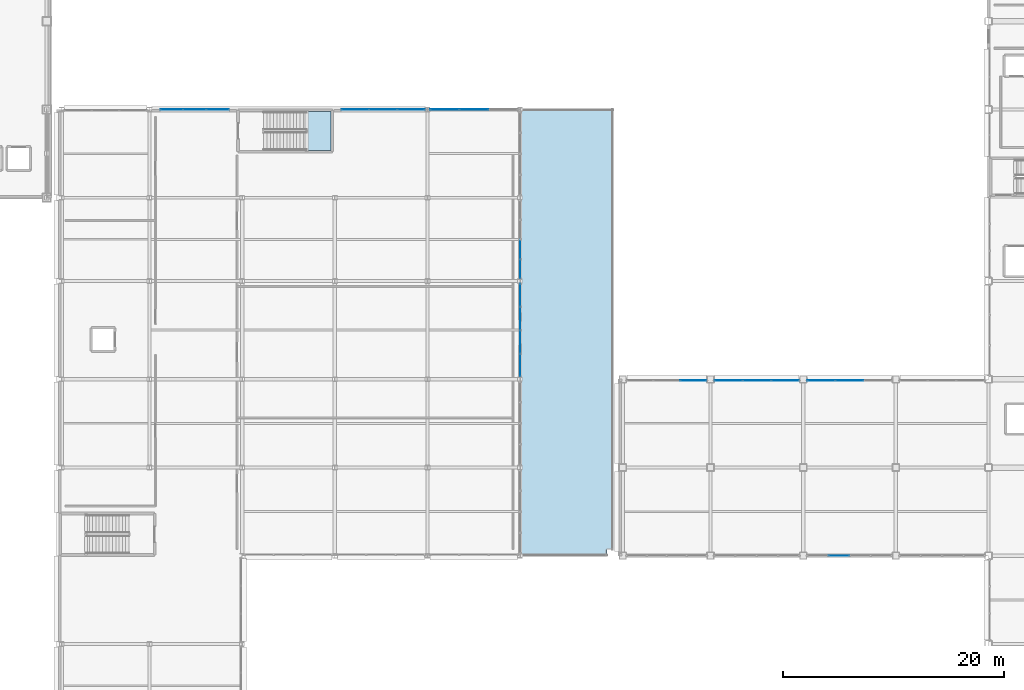
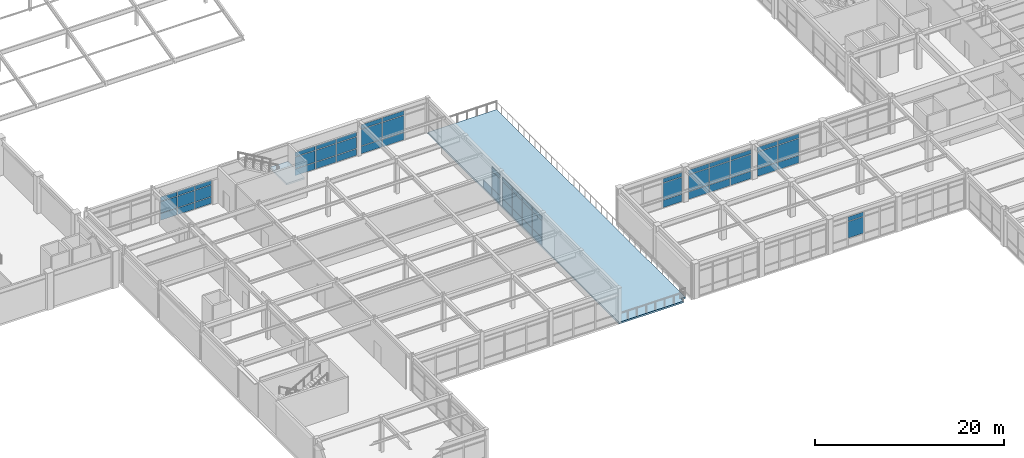
# One storey, part 67 of 93: 60 plates, 2 slabs, 10 elements without a shape of their own.
"""IFC4 building model written with IfcOpenShell, lengths in metres."""

from ifc_helpers import new_model, si_unit, direction, frame, origin, origin_2d, place, context, subcontext, project, spatial, polyline, rectangle, outline, extrude, material, layer, layer_set, type_object, element, aggregate, save


model = new_model("IFC4")

# Units and contexts
model_context = context("Model", 3, precision=1e-05, world=origin(), true_north=direction((0.0, 1.0)))
body_context = subcontext(model_context, "Body", "Model", "MODEL_VIEW")
ifc_project = project(units=[si_unit("LENGTHUNIT", "METRE"), si_unit("AREAUNIT", "SQUARE_METRE"), si_unit("VOLUMEUNIT", "CUBIC_METRE"), si_unit("PLANEANGLEUNIT", "RADIAN"), si_unit("MASSUNIT", "GRAM", prefix="KILO")], contexts=[model_context])

# Site, building, storey
site_placement = place(None, origin())
site = spatial("IfcSite", under=ifc_project, at=site_placement, CompositionType="ELEMENT")
building_placement = place(site_placement, origin())
building = spatial("IfcBuilding", under=site, at=building_placement, Name="Kazehara Bluff Congress Hotel", CompositionType="ELEMENT")
storey_placement = place(building_placement, frame((0.0, 0.0, 15.0)))
storey = spatial("IfcBuildingStorey", under=building, at=storey_placement, Name="L03", CompositionType="ELEMENT", Elevation=15.0)

# Curtain wall, plates
ifc_material_1 = material(Name="Anodised aluminium", Category="aluminium")
ifc_layer_1 = layer(ifc_material_1, 0.159912109375)
ifc_layer_set_1 = layer_set([ifc_layer_1], Name="Anodised aluminium")
curtain_wall_type_1 = type_object("IfcCurtainWallType", Name="TP-CW-61", PredefinedType="NOTDEFINED", material=ifc_layer_set_1)
curtain_wall_1_placement = place(storey_placement, origin())
curtain_wall_1 = element("IfcCurtainWall", 1, at=curtain_wall_1_placement, inside=storey, type_object=curtain_wall_type_1, Name="L03 curtain wall CW-61 CW-V4-L03-X10125-3220", PredefinedType="NOTDEFINED")
ifc_material_2 = material(Name="Insulated low-E double glazing", Category="glass")
ifc_layer_2 = layer(ifc_material_2, 0.028076171875)
ifc_layer_set_2 = layer_set([ifc_layer_2], Name="Insulated low-E double glazing")
plate_type = type_object("IfcPlateType", Name="TP-CWP-01", PredefinedType="CURTAIN_PANEL", material=ifc_layer_set_2)
plate_1_placement = place(storey_placement, frame((101.25, 33.27880859375, 0.06494140625), z_axis=(0.0, 0.0, 1.0), x_axis=(0.0, 1.0, 0.0)))
plate_1 = element("IfcPlate", 2, at=plate_1_placement, type_object=plate_type, Name="CW-61 panel 1.1", PredefinedType="CURTAIN_PANEL", context=body_context, shape_type="SweptSolid", body=[
    extrude(rectangle(XDim=2.027587890625, YDim=0.028076171875, at=origin_2d()), origin(), (0.0, 0.0, 1.0), 0.952392578125),
])
plate_2_placement = place(storey_placement, frame((101.25, 33.27880859375, 1.08251953125), z_axis=(0.0, 0.0, 1.0), x_axis=(0.0, 1.0, 0.0)))
plate_2 = element("IfcPlate", 3, at=plate_2_placement, type_object=plate_type, Name="CW-61 panel 1.2", PredefinedType="CURTAIN_PANEL", context=body_context, shape_type="SweptSolid", body=[
    extrude(rectangle(XDim=2.027587890625, YDim=0.028076171875, at=origin_2d()), origin(), (0.0, 0.0, 1.0), 2.1201171875),
])
plate_3_placement = place(storey_placement, frame((101.25, 33.27880859375, 3.267578125), z_axis=(0.0, 0.0, 1.0), x_axis=(0.0, 1.0, 0.0)))
plate_3 = element("IfcPlate", 4, at=plate_3_placement, type_object=plate_type, Name="CW-61 panel 1.3", PredefinedType="CURTAIN_PANEL", context=body_context, shape_type="SweptSolid", body=[
    extrude(rectangle(XDim=2.027587890625, YDim=0.028076171875, at=origin_2d()), origin(), (0.0, 0.0, 1.0), 0.552490234375),
])
plate_4_placement = place(storey_placement, frame((101.25, 35.387451171875, 0.06494140625), z_axis=(0.0, 0.0, 1.0), x_axis=(0.0, 1.0, 0.0)))
plate_4 = element("IfcPlate", 5, at=plate_4_placement, type_object=plate_type, Name="CW-61 panel 2.1", PredefinedType="CURTAIN_PANEL", context=body_context, shape_type="SweptSolid", body=[
    extrude(rectangle(XDim=2.06005859375, YDim=0.028076171875, at=origin_2d()), origin(), (0.0, 0.0, 1.0), 0.952392578125),
])
plate_5_placement = place(storey_placement, frame((101.25, 35.387451171875, 1.08251953125), z_axis=(0.0, 0.0, 1.0), x_axis=(0.0, 1.0, 0.0)))
plate_5 = element("IfcPlate", 6, at=plate_5_placement, type_object=plate_type, Name="CW-61 panel 2.2", PredefinedType="CURTAIN_PANEL", context=body_context, shape_type="SweptSolid", body=[
    extrude(rectangle(XDim=2.06005859375, YDim=0.028076171875, at=origin_2d()), origin(), (0.0, 0.0, 1.0), 2.1201171875),
])
plate_6_placement = place(storey_placement, frame((101.25, 35.387451171875, 3.267578125), z_axis=(0.0, 0.0, 1.0), x_axis=(0.0, 1.0, 0.0)))
plate_6 = element("IfcPlate", 7, at=plate_6_placement, type_object=plate_type, Name="CW-61 panel 2.3", PredefinedType="CURTAIN_PANEL", context=body_context, shape_type="SweptSolid", body=[
    extrude(rectangle(XDim=2.06005859375, YDim=0.028076171875, at=origin_2d()), origin(), (0.0, 0.0, 1.0), 0.552490234375),
])
plate_7_placement = place(storey_placement, frame((101.25, 37.512451171875, 0.06494140625), z_axis=(0.0, 0.0, 1.0), x_axis=(0.0, 1.0, 0.0)))
plate_7 = element("IfcPlate", 8, at=plate_7_placement, type_object=plate_type, Name="CW-61 panel 3.1", PredefinedType="CURTAIN_PANEL", context=body_context, shape_type="SweptSolid", body=[
    extrude(rectangle(XDim=2.06005859375, YDim=0.028076171875, at=origin_2d()), origin(), (0.0, 0.0, 1.0), 0.952392578125),
])
plate_8_placement = place(storey_placement, frame((101.25, 37.512451171875, 1.08251953125), z_axis=(0.0, 0.0, 1.0), x_axis=(0.0, 1.0, 0.0)))
plate_8 = element("IfcPlate", 9, at=plate_8_placement, type_object=plate_type, Name="CW-61 panel 3.2", PredefinedType="CURTAIN_PANEL", context=body_context, shape_type="SweptSolid", body=[
    extrude(rectangle(XDim=2.06005859375, YDim=0.028076171875, at=origin_2d()), origin(), (0.0, 0.0, 1.0), 2.1201171875),
])
plate_9_placement = place(storey_placement, frame((101.25, 37.512451171875, 3.267578125), z_axis=(0.0, 0.0, 1.0), x_axis=(0.0, 1.0, 0.0)))
plate_9 = element("IfcPlate", 10, at=plate_9_placement, type_object=plate_type, Name="CW-61 panel 3.3", PredefinedType="CURTAIN_PANEL", context=body_context, shape_type="SweptSolid", body=[
    extrude(rectangle(XDim=2.06005859375, YDim=0.028076171875, at=origin_2d()), origin(), (0.0, 0.0, 1.0), 0.552490234375),
])
plate_10_placement = place(storey_placement, frame((101.25, 39.621337890625, 0.06494140625), z_axis=(0.0, 0.0, 1.0), x_axis=(0.0, 1.0, 0.0)))
plate_10 = element("IfcPlate", 11, at=plate_10_placement, type_object=plate_type, Name="CW-61 panel 4.1", PredefinedType="CURTAIN_PANEL", context=body_context, shape_type="SweptSolid", body=[
    extrude(rectangle(XDim=2.027587890625, YDim=0.028076171875, at=origin_2d()), origin(), (0.0, 0.0, 1.0), 0.952392578125),
])
plate_11_placement = place(storey_placement, frame((101.25, 39.621337890625, 1.08251953125), z_axis=(0.0, 0.0, 1.0), x_axis=(0.0, 1.0, 0.0)))
plate_11 = element("IfcPlate", 12, at=plate_11_placement, type_object=plate_type, Name="CW-61 panel 4.2", PredefinedType="CURTAIN_PANEL", context=body_context, shape_type="SweptSolid", body=[
    extrude(rectangle(XDim=2.027587890625, YDim=0.028076171875, at=origin_2d()), origin(), (0.0, 0.0, 1.0), 2.1201171875),
])
plate_12_placement = place(storey_placement, frame((101.25, 39.621337890625, 3.267578125), z_axis=(0.0, 0.0, 1.0), x_axis=(0.0, 1.0, 0.0)))
plate_12 = element("IfcPlate", 13, at=plate_12_placement, type_object=plate_type, Name="CW-61 panel 4.3", PredefinedType="CURTAIN_PANEL", context=body_context, shape_type="SweptSolid", body=[
    extrude(rectangle(XDim=2.027587890625, YDim=0.028076171875, at=origin_2d()), origin(), (0.0, 0.0, 1.0), 0.552490234375),
])
aggregate(curtain_wall_1, [plate_1, plate_2, plate_3, plate_4, plate_5, plate_6, plate_7, plate_8, plate_9, plate_10, plate_11, plate_12])

ifc_material_3 = material(Name="Anodised aluminium", Category="aluminium")
ifc_layer_3 = layer(ifc_material_3, 0.159912109375)
ifc_layer_set_3 = layer_set([ifc_layer_3], Name="Anodised aluminium")
curtain_wall_type_2 = type_object("IfcCurtainWallType", Name="TP-CW-62", PredefinedType="NOTDEFINED", material=ifc_layer_set_3)
curtain_wall_2_placement = place(storey_placement, origin())
curtain_wall_2 = element("IfcCurtainWall", 14, at=curtain_wall_2_placement, inside=storey, type_object=curtain_wall_type_2, Name="L03 curtain wall CW-62 CW-V4-L03-X10125-4110", PredefinedType="NOTDEFINED")
plate_13_placement = place(storey_placement, frame((101.25, 42.010009765625, 0.06494140625), z_axis=(0.0, 0.0, 1.0), x_axis=(0.0, 1.0, 0.0)))
plate_13 = element("IfcPlate", 15, at=plate_13_placement, type_object=plate_type, Name="CW-62 panel 1.1", PredefinedType="CURTAIN_PANEL", context=body_context, shape_type="SweptSolid", body=[
    extrude(rectangle(XDim=1.68994140625, YDim=0.028076171875, at=origin_2d()), origin(), (0.0, 0.0, 1.0), 0.952392578125),
])
plate_14_placement = place(storey_placement, frame((101.25, 42.010009765625, 1.08251953125), z_axis=(0.0, 0.0, 1.0), x_axis=(0.0, 1.0, 0.0)))
plate_14 = element("IfcPlate", 16, at=plate_14_placement, type_object=plate_type, Name="CW-62 panel 1.2", PredefinedType="CURTAIN_PANEL", context=body_context, shape_type="SweptSolid", body=[
    extrude(rectangle(XDim=1.68994140625, YDim=0.028076171875, at=origin_2d()), origin(), (0.0, 0.0, 1.0), 2.1201171875),
])
plate_15_placement = place(storey_placement, frame((101.25, 42.010009765625, 3.267578125), z_axis=(0.0, 0.0, 1.0), x_axis=(0.0, 1.0, 0.0)))
plate_15 = element("IfcPlate", 17, at=plate_15_placement, type_object=plate_type, Name="CW-62 panel 1.3", PredefinedType="CURTAIN_PANEL", context=body_context, shape_type="SweptSolid", body=[
    extrude(rectangle(XDim=1.68994140625, YDim=0.028076171875, at=origin_2d()), origin(), (0.0, 0.0, 1.0), 0.552490234375),
])
plate_16_placement = place(storey_placement, frame((101.25, 43.78125, 0.06494140625), z_axis=(0.0, 0.0, 1.0), x_axis=(0.0, 1.0, 0.0)))
plate_16 = element("IfcPlate", 18, at=plate_16_placement, type_object=plate_type, Name="CW-62 panel 2.1", PredefinedType="CURTAIN_PANEL", context=body_context, shape_type="SweptSolid", body=[
    extrude(rectangle(XDim=1.722412109375, YDim=0.028076171875, at=origin_2d()), origin(), (0.0, 0.0, 1.0), 0.952392578125),
])
aggregate(curtain_wall_2, [plate_13, plate_14, plate_15, plate_16])

ifc_material_4 = material(Name="Anodised aluminium", Category="aluminium")
ifc_layer_4 = layer(ifc_material_4, 0.159912109375)
ifc_layer_set_4 = layer_set([ifc_layer_4], Name="Anodised aluminium")
curtain_wall_type_3 = type_object("IfcCurtainWallType", Name="TP-CW-72", PredefinedType="NOTDEFINED", material=ifc_layer_set_4)
curtain_wall_3_placement = place(storey_placement, origin())
curtain_wall_3 = element("IfcCurtainWall", 19, at=curtain_wall_3_placement, inside=storey, type_object=curtain_wall_type_3, Name="L03 curtain wall CW-72 CW-V4-L03-Y5645-6860", PredefinedType="NOTDEFINED")
plate_17_placement = place(storey_placement, frame((69.6650390625, 56.449951171875, 0.06005859375), z_axis=(0.0, 0.0, 1.0), x_axis=(1.0, 0.0, 0.0)))
plate_17 = element("IfcPlate", 20, at=plate_17_placement, type_object=plate_type, Name="CW-72 panel 1.1", PredefinedType="CURTAIN_PANEL", context=body_context, shape_type="SweptSolid", body=[
    extrude(rectangle(XDim=2.010009765625, YDim=0.028076171875, at=origin_2d()), origin(), (0.0, 0.0, 1.0), 0.85009765625),
])
plate_18_placement = place(storey_placement, frame((69.6650390625, 56.449951171875, 0.9697265625), z_axis=(0.0, 0.0, 1.0), x_axis=(1.0, 0.0, 0.0)))
plate_18 = element("IfcPlate", 21, at=plate_18_placement, type_object=plate_type, Name="CW-72 panel 1.2", PredefinedType="CURTAIN_PANEL", context=body_context, shape_type="SweptSolid", body=[
    extrude(rectangle(XDim=2.010009765625, YDim=0.028076171875, at=origin_2d()), origin(), (0.0, 0.0, 1.0), 1.485107421875),
])
plate_19_placement = place(storey_placement, frame((69.6650390625, 56.449951171875, 2.514892578125), z_axis=(0.0, 0.0, 1.0), x_axis=(1.0, 0.0, 0.0)))
plate_19 = element("IfcPlate", 22, at=plate_19_placement, type_object=plate_type, Name="CW-72 panel 1.3", PredefinedType="CURTAIN_PANEL", context=body_context, shape_type="SweptSolid", body=[
    extrude(rectangle(XDim=2.010009765625, YDim=0.028076171875, at=origin_2d()), origin(), (0.0, 0.0, 1.0), 0.56005859375),
])
plate_20_placement = place(storey_placement, frame((71.75, 56.449951171875, 0.06005859375), z_axis=(0.0, 0.0, 1.0), x_axis=(1.0, 0.0, 0.0)))
plate_20 = element("IfcPlate", 23, at=plate_20_placement, type_object=plate_type, Name="CW-72 panel 2.1", PredefinedType="CURTAIN_PANEL", context=body_context, shape_type="SweptSolid", body=[
    extrude(rectangle(XDim=2.0400390625, YDim=0.028076171875, at=origin_2d()), origin(), (0.0, 0.0, 1.0), 0.85009765625),
])
plate_21_placement = place(storey_placement, frame((71.75, 56.449951171875, 0.9697265625), z_axis=(0.0, 0.0, 1.0), x_axis=(1.0, 0.0, 0.0)))
plate_21 = element("IfcPlate", 24, at=plate_21_placement, type_object=plate_type, Name="CW-72 panel 2.2", PredefinedType="CURTAIN_PANEL", context=body_context, shape_type="SweptSolid", body=[
    extrude(rectangle(XDim=2.0400390625, YDim=0.028076171875, at=origin_2d()), origin(), (0.0, 0.0, 1.0), 1.485107421875),
])
plate_22_placement = place(storey_placement, frame((71.75, 56.449951171875, 2.514892578125), z_axis=(0.0, 0.0, 1.0), x_axis=(1.0, 0.0, 0.0)))
plate_22 = element("IfcPlate", 25, at=plate_22_placement, type_object=plate_type, Name="CW-72 panel 2.3", PredefinedType="CURTAIN_PANEL", context=body_context, shape_type="SweptSolid", body=[
    extrude(rectangle(XDim=2.0400390625, YDim=0.028076171875, at=origin_2d()), origin(), (0.0, 0.0, 1.0), 0.56005859375),
])
plate_23_placement = place(storey_placement, frame((73.8349609375, 56.449951171875, 0.06005859375), z_axis=(0.0, 0.0, 1.0), x_axis=(1.0, 0.0, 0.0)))
plate_23 = element("IfcPlate", 26, at=plate_23_placement, type_object=plate_type, Name="CW-72 panel 3.1", PredefinedType="CURTAIN_PANEL", context=body_context, shape_type="SweptSolid", body=[
    extrude(rectangle(XDim=2.010009765625, YDim=0.028076171875, at=origin_2d()), origin(), (0.0, 0.0, 1.0), 0.85009765625),
])
plate_24_placement = place(storey_placement, frame((73.8349609375, 56.449951171875, 0.9697265625), z_axis=(0.0, 0.0, 1.0), x_axis=(1.0, 0.0, 0.0)))
plate_24 = element("IfcPlate", 27, at=plate_24_placement, type_object=plate_type, Name="CW-72 panel 3.2", PredefinedType="CURTAIN_PANEL", context=body_context, shape_type="SweptSolid", body=[
    extrude(rectangle(XDim=2.010009765625, YDim=0.028076171875, at=origin_2d()), origin(), (0.0, 0.0, 1.0), 1.485107421875),
])
plate_25_placement = place(storey_placement, frame((73.8349609375, 56.449951171875, 2.514892578125), z_axis=(0.0, 0.0, 1.0), x_axis=(1.0, 0.0, 0.0)))
plate_25 = element("IfcPlate", 28, at=plate_25_placement, type_object=plate_type, Name="CW-72 panel 3.3", PredefinedType="CURTAIN_PANEL", context=body_context, shape_type="SweptSolid", body=[
    extrude(rectangle(XDim=2.010009765625, YDim=0.028076171875, at=origin_2d()), origin(), (0.0, 0.0, 1.0), 0.56005859375),
])
aggregate(curtain_wall_3, [plate_17, plate_18, plate_19, plate_20, plate_21, plate_22, plate_23, plate_24, plate_25])

ifc_material_5 = material(Name="Anodised aluminium", Category="aluminium")
ifc_layer_5 = layer(ifc_material_5, 0.159912109375)
ifc_layer_set_5 = layer_set([ifc_layer_5], Name="Anodised aluminium")
curtain_wall_type_4 = type_object("IfcCurtainWallType", Name="TP-CW-75", PredefinedType="NOTDEFINED", material=ifc_layer_set_5)
curtain_wall_4_placement = place(storey_placement, origin())
curtain_wall_4 = element("IfcCurtainWall", 29, at=curtain_wall_4_placement, inside=storey, type_object=curtain_wall_type_4, Name="L03 curtain wall CW-75 CW-V4-L03-Y5645-8500", PredefinedType="NOTDEFINED")
plate_26_placement = place(storey_placement, frame((86.291259765625, 56.449951171875, 0.06494140625), z_axis=(0.0, 0.0, 1.0), x_axis=(1.0, 0.0, 0.0)))
plate_26 = element("IfcPlate", 30, at=plate_26_placement, type_object=plate_type, Name="CW-75 panel 1.1", PredefinedType="CURTAIN_PANEL", context=body_context, shape_type="SweptSolid", body=[
    extrude(rectangle(XDim=2.452392578125, YDim=0.028076171875, at=origin_2d()), origin(), (0.0, 0.0, 1.0), 0.842529296875),
])
plate_27_placement = place(storey_placement, frame((86.291259765625, 56.449951171875, 0.972412109375), z_axis=(0.0, 0.0, 1.0), x_axis=(1.0, 0.0, 0.0)))
plate_27 = element("IfcPlate", 31, at=plate_27_placement, type_object=plate_type, Name="CW-75 panel 1.2", PredefinedType="CURTAIN_PANEL", context=body_context, shape_type="SweptSolid", body=[
    extrude(rectangle(XDim=2.452392578125, YDim=0.028076171875, at=origin_2d()), origin(), (0.0, 0.0, 1.0), 1.47998046875),
])
plate_28_placement = place(storey_placement, frame((86.291259765625, 56.449951171875, 2.517578125), z_axis=(0.0, 0.0, 1.0), x_axis=(1.0, 0.0, 0.0)))
plate_28 = element("IfcPlate", 32, at=plate_28_placement, type_object=plate_type, Name="CW-75 panel 1.3", PredefinedType="CURTAIN_PANEL", context=body_context, shape_type="SweptSolid", body=[
    extrude(rectangle(XDim=2.452392578125, YDim=0.028076171875, at=origin_2d()), origin(), (0.0, 0.0, 1.0), 0.552490234375),
])
plate_29_placement = place(storey_placement, frame((88.824951171875, 56.449951171875, 0.06494140625), z_axis=(0.0, 0.0, 1.0), x_axis=(1.0, 0.0, 0.0)))
plate_29 = element("IfcPlate", 33, at=plate_29_placement, type_object=plate_type, Name="CW-75 panel 2.1", PredefinedType="CURTAIN_PANEL", context=body_context, shape_type="SweptSolid", body=[
    extrude(rectangle(XDim=2.485107421875, YDim=0.028076171875, at=origin_2d()), origin(), (0.0, 0.0, 1.0), 0.842529296875),
])
plate_30_placement = place(storey_placement, frame((88.824951171875, 56.449951171875, 0.972412109375), z_axis=(0.0, 0.0, 1.0), x_axis=(1.0, 0.0, 0.0)))
plate_30 = element("IfcPlate", 34, at=plate_30_placement, type_object=plate_type, Name="CW-75 panel 2.2", PredefinedType="CURTAIN_PANEL", context=body_context, shape_type="SweptSolid", body=[
    extrude(rectangle(XDim=2.485107421875, YDim=0.028076171875, at=origin_2d()), origin(), (0.0, 0.0, 1.0), 1.47998046875),
])
plate_31_placement = place(storey_placement, frame((88.824951171875, 56.449951171875, 2.517578125), z_axis=(0.0, 0.0, 1.0), x_axis=(1.0, 0.0, 0.0)))
plate_31 = element("IfcPlate", 35, at=plate_31_placement, type_object=plate_type, Name="CW-75 panel 2.3", PredefinedType="CURTAIN_PANEL", context=body_context, shape_type="SweptSolid", body=[
    extrude(rectangle(XDim=2.485107421875, YDim=0.028076171875, at=origin_2d()), origin(), (0.0, 0.0, 1.0), 0.552490234375),
])
plate_32_placement = place(storey_placement, frame((91.358642578125, 56.449951171875, 0.06494140625), z_axis=(0.0, 0.0, 1.0), x_axis=(1.0, 0.0, 0.0)))
plate_32 = element("IfcPlate", 36, at=plate_32_placement, type_object=plate_type, Name="CW-75 panel 3.1", PredefinedType="CURTAIN_PANEL", context=body_context, shape_type="SweptSolid", body=[
    extrude(rectangle(XDim=2.452392578125, YDim=0.028076171875, at=origin_2d()), origin(), (0.0, 0.0, 1.0), 0.842529296875),
])
plate_33_placement = place(storey_placement, frame((91.358642578125, 56.449951171875, 0.972412109375), z_axis=(0.0, 0.0, 1.0), x_axis=(1.0, 0.0, 0.0)))
plate_33 = element("IfcPlate", 37, at=plate_33_placement, type_object=plate_type, Name="CW-75 panel 3.2", PredefinedType="CURTAIN_PANEL", context=body_context, shape_type="SweptSolid", body=[
    extrude(rectangle(XDim=2.452392578125, YDim=0.028076171875, at=origin_2d()), origin(), (0.0, 0.0, 1.0), 1.47998046875),
])
plate_34_placement = place(storey_placement, frame((91.358642578125, 56.449951171875, 2.517578125), z_axis=(0.0, 0.0, 1.0), x_axis=(1.0, 0.0, 0.0)))
plate_34 = element("IfcPlate", 38, at=plate_34_placement, type_object=plate_type, Name="CW-75 panel 3.3", PredefinedType="CURTAIN_PANEL", context=body_context, shape_type="SweptSolid", body=[
    extrude(rectangle(XDim=2.452392578125, YDim=0.028076171875, at=origin_2d()), origin(), (0.0, 0.0, 1.0), 0.552490234375),
])
aggregate(curtain_wall_4, [plate_26, plate_27, plate_28, plate_29, plate_30, plate_31, plate_32, plate_33, plate_34])

ifc_material_6 = material(Name="Anodised aluminium", Category="aluminium")
ifc_layer_6 = layer(ifc_material_6, 0.159912109375)
ifc_layer_set_6 = layer_set([ifc_layer_6], Name="Anodised aluminium")
curtain_wall_type_5 = type_object("IfcCurtainWallType", Name="TP-CW-76", PredefinedType="NOTDEFINED", material=ifc_layer_set_6)
curtain_wall_5_placement = place(storey_placement, origin())
curtain_wall_5 = element("IfcCurtainWall", 39, at=curtain_wall_5_placement, inside=storey, type_object=curtain_wall_type_5, Name="L03 curtain wall CW-76 CW-V4-L03-Y5645-9305", PredefinedType="NOTDEFINED")
plate_35_placement = place(storey_placement, frame((94.399658203125, 56.449951171875, 0.06494140625), z_axis=(0.0, 0.0, 1.0), x_axis=(1.0, 0.0, 0.0)))
plate_35 = element("IfcPlate", 40, at=plate_35_placement, type_object=plate_type, Name="CW-76 panel 1.1", PredefinedType="CURTAIN_PANEL", context=body_context, shape_type="SweptSolid", body=[
    extrude(rectangle(XDim=2.569091796875, YDim=0.028076171875, at=origin_2d()), origin(), (0.0, 0.0, 1.0), 0.952392578125),
])
plate_36_placement = place(storey_placement, frame((94.399658203125, 56.449951171875, 1.08251953125), z_axis=(0.0, 0.0, 1.0), x_axis=(1.0, 0.0, 0.0)))
plate_36 = element("IfcPlate", 41, at=plate_36_placement, type_object=plate_type, Name="CW-76 panel 1.2", PredefinedType="CURTAIN_PANEL", context=body_context, shape_type="SweptSolid", body=[
    extrude(rectangle(XDim=2.569091796875, YDim=0.028076171875, at=origin_2d()), origin(), (0.0, 0.0, 1.0), 2.1201171875),
])
plate_37_placement = place(storey_placement, frame((94.399658203125, 56.449951171875, 3.267578125), z_axis=(0.0, 0.0, 1.0), x_axis=(1.0, 0.0, 0.0)))
plate_37 = element("IfcPlate", 42, at=plate_37_placement, type_object=plate_type, Name="CW-76 panel 1.3", PredefinedType="CURTAIN_PANEL", context=body_context, shape_type="SweptSolid", body=[
    extrude(rectangle(XDim=2.569091796875, YDim=0.028076171875, at=origin_2d()), origin(), (0.0, 0.0, 1.0), 0.552490234375),
])
plate_38_placement = place(storey_placement, frame((97.050048828125, 56.449951171875, 0.06494140625), z_axis=(0.0, 0.0, 1.0), x_axis=(1.0, 0.0, 0.0)))
plate_38 = element("IfcPlate", 43, at=plate_38_placement, type_object=plate_type, Name="CW-76 panel 2.1", PredefinedType="CURTAIN_PANEL", context=body_context, shape_type="SweptSolid", body=[
    extrude(rectangle(XDim=2.6015625, YDim=0.028076171875, at=origin_2d()), origin(), (0.0, 0.0, 1.0), 0.952392578125),
])
plate_39_placement = place(storey_placement, frame((97.050048828125, 56.449951171875, 1.08251953125), z_axis=(0.0, 0.0, 1.0), x_axis=(1.0, 0.0, 0.0)))
plate_39 = element("IfcPlate", 44, at=plate_39_placement, type_object=plate_type, Name="CW-76 panel 2.2", PredefinedType="CURTAIN_PANEL", context=body_context, shape_type="SweptSolid", body=[
    extrude(rectangle(XDim=2.6015625, YDim=0.028076171875, at=origin_2d()), origin(), (0.0, 0.0, 1.0), 2.1201171875),
])
plate_40_placement = place(storey_placement, frame((97.050048828125, 56.449951171875, 3.267578125), z_axis=(0.0, 0.0, 1.0), x_axis=(1.0, 0.0, 0.0)))
plate_40 = element("IfcPlate", 45, at=plate_40_placement, type_object=plate_type, Name="CW-76 panel 2.3", PredefinedType="CURTAIN_PANEL", context=body_context, shape_type="SweptSolid", body=[
    extrude(rectangle(XDim=2.6015625, YDim=0.028076171875, at=origin_2d()), origin(), (0.0, 0.0, 1.0), 0.552490234375),
])
aggregate(curtain_wall_5, [plate_35, plate_36, plate_37, plate_38, plate_39, plate_40])

ifc_material_7 = material(Name="Anodised aluminium", Category="aluminium")
ifc_layer_7 = layer(ifc_material_7, 0.159912109375)
ifc_layer_set_7 = layer_set([ifc_layer_7], Name="Anodised aluminium")
curtain_wall_type_6 = type_object("IfcCurtainWallType", Name="TP-CW-24", PredefinedType="NOTDEFINED", material=ifc_layer_set_7)
curtain_wall_6_placement = place(storey_placement, origin())
curtain_wall_6 = element("IfcCurtainWall", 46, at=curtain_wall_6_placement, inside=storey, type_object=curtain_wall_type_6, Name="L03 curtain wall CW-24 CW-V5-L03-Y1600-12722", PredefinedType="NOTDEFINED")
plate_41_placement = place(storey_placement, frame((130.13134765625, 16.0, 1.08251953125), z_axis=(0.0, 0.0, 1.0), x_axis=(1.0, 0.0, 0.0)))
plate_41 = element("IfcPlate", 47, at=plate_41_placement, type_object=plate_type, Name="CW-24 panel 2.2", PredefinedType="CURTAIN_PANEL", context=body_context, shape_type="SweptSolid", body=[
    extrude(rectangle(XDim=1.87255859375, YDim=0.028076171875, at=origin_2d()), origin(), (0.0, 0.0, 1.0), 2.1201171875),
])
plate_42_placement = place(storey_placement, frame((130.13134765625, 16.0, 3.267578125), z_axis=(0.0, 0.0, 1.0), x_axis=(1.0, 0.0, 0.0)))
plate_42 = element("IfcPlate", 48, at=plate_42_placement, type_object=plate_type, Name="CW-24 panel 2.3", PredefinedType="CURTAIN_PANEL", context=body_context, shape_type="SweptSolid", body=[
    extrude(rectangle(XDim=1.87255859375, YDim=0.028076171875, at=origin_2d()), origin(), (0.0, 0.0, 1.0), 0.552490234375),
])
aggregate(curtain_wall_6, [plate_41, plate_42])

ifc_material_8 = material(Name="Anodised aluminium", Category="aluminium")
ifc_layer_8 = layer(ifc_material_8, 0.159912109375)
ifc_layer_set_8 = layer_set([ifc_layer_8], Name="Anodised aluminium")
curtain_wall_type_7 = type_object("IfcCurtainWallType", Name="TP-CW-80", PredefinedType="NOTDEFINED", material=ifc_layer_set_8)
curtain_wall_7_placement = place(storey_placement, origin())
curtain_wall_7 = element("IfcCurtainWall", 49, at=curtain_wall_7_placement, inside=storey, type_object=curtain_wall_type_7, Name="L03 curtain wall CW-80 CW-ENC-V5-L03-11452-3190", PredefinedType="NOTDEFINED")
plate_43_placement = place(storey_placement, frame((116.942138671875, 31.89990234375, 0.06494140625), z_axis=(0.0, 0.0, 1.0), x_axis=(1.0, 0.0, 0.0)))
plate_43 = element("IfcPlate", 50, at=plate_43_placement, type_object=plate_type, Name="CW-80 panel 3.1", PredefinedType="CURTAIN_PANEL", context=body_context, shape_type="SweptSolid", body=[
    extrude(rectangle(XDim=2.3359375, YDim=0.028076171875, at=origin_2d()), origin(), (0.0, 0.0, 1.0), 0.952392578125),
])
plate_44_placement = place(storey_placement, frame((116.942138671875, 31.89990234375, 1.08251953125), z_axis=(0.0, 0.0, 1.0), x_axis=(1.0, 0.0, 0.0)))
plate_44 = element("IfcPlate", 51, at=plate_44_placement, type_object=plate_type, Name="CW-80 panel 3.2", PredefinedType="CURTAIN_PANEL", context=body_context, shape_type="SweptSolid", body=[
    extrude(rectangle(XDim=2.3359375, YDim=0.028076171875, at=origin_2d()), origin(), (0.0, 0.0, 1.0), 2.1201171875),
])
plate_45_placement = place(storey_placement, frame((116.942138671875, 31.89990234375, 3.267578125), z_axis=(0.0, 0.0, 1.0), x_axis=(1.0, 0.0, 0.0)))
plate_45 = element("IfcPlate", 52, at=plate_45_placement, type_object=plate_type, Name="CW-80 panel 3.3", PredefinedType="CURTAIN_PANEL", context=body_context, shape_type="SweptSolid", body=[
    extrude(rectangle(XDim=2.3359375, YDim=0.028076171875, at=origin_2d()), origin(), (0.0, 0.0, 1.0), 0.552490234375),
])
aggregate(curtain_wall_7, [plate_43, plate_44, plate_45])

curtain_wall_8_placement = place(storey_placement, origin())
curtain_wall_8 = element("IfcCurtainWall", 53, at=curtain_wall_8_placement, inside=storey, type_object=curtain_wall_type_6, Name="L03 curtain wall CW-24 CW-ENC-V5-L03-12270-3190", PredefinedType="NOTDEFINED")
plate_46_placement = place(storey_placement, frame((120.1328125, 31.89990234375, 0.06494140625), z_axis=(0.0, 0.0, 1.0), x_axis=(1.0, 0.0, 0.0)))
plate_46 = element("IfcPlate", 54, at=plate_46_placement, type_object=plate_type, Name="CW-24 panel 1.1", PredefinedType="CURTAIN_PANEL", context=body_context, shape_type="SweptSolid", body=[
    extrude(rectangle(XDim=2.48583984375, YDim=0.028076171875, at=origin_2d()), origin(), (0.0, 0.0, 1.0), 0.952392578125),
])
plate_47_placement = place(storey_placement, frame((120.1328125, 31.89990234375, 1.08251953125), z_axis=(0.0, 0.0, 1.0), x_axis=(1.0, 0.0, 0.0)))
plate_47 = element("IfcPlate", 55, at=plate_47_placement, type_object=plate_type, Name="CW-24 panel 1.2", PredefinedType="CURTAIN_PANEL", context=body_context, shape_type="SweptSolid", body=[
    extrude(rectangle(XDim=2.48583984375, YDim=0.028076171875, at=origin_2d()), origin(), (0.0, 0.0, 1.0), 2.1201171875),
])
plate_48_placement = place(storey_placement, frame((120.1328125, 31.89990234375, 3.267578125), z_axis=(0.0, 0.0, 1.0), x_axis=(1.0, 0.0, 0.0)))
plate_48 = element("IfcPlate", 56, at=plate_48_placement, type_object=plate_type, Name="CW-24 panel 1.3", PredefinedType="CURTAIN_PANEL", context=body_context, shape_type="SweptSolid", body=[
    extrude(rectangle(XDim=2.48583984375, YDim=0.028076171875, at=origin_2d()), origin(), (0.0, 0.0, 1.0), 0.552490234375),
])
plate_49_placement = place(storey_placement, frame((122.699951171875, 31.89990234375, 0.06494140625), z_axis=(0.0, 0.0, 1.0), x_axis=(1.0, 0.0, 0.0)))
plate_49 = element("IfcPlate", 57, at=plate_49_placement, type_object=plate_type, Name="CW-24 panel 2.1", PredefinedType="CURTAIN_PANEL", context=body_context, shape_type="SweptSolid", body=[
    extrude(rectangle(XDim=2.518310546875, YDim=0.028076171875, at=origin_2d()), origin(), (0.0, 0.0, 1.0), 0.952392578125),
])
plate_50_placement = place(storey_placement, frame((122.699951171875, 31.89990234375, 1.08251953125), z_axis=(0.0, 0.0, 1.0), x_axis=(1.0, 0.0, 0.0)))
plate_50 = element("IfcPlate", 58, at=plate_50_placement, type_object=plate_type, Name="CW-24 panel 2.2", PredefinedType="CURTAIN_PANEL", context=body_context, shape_type="SweptSolid", body=[
    extrude(rectangle(XDim=2.518310546875, YDim=0.028076171875, at=origin_2d()), origin(), (0.0, 0.0, 1.0), 2.1201171875),
])
plate_51_placement = place(storey_placement, frame((122.699951171875, 31.89990234375, 3.267578125), z_axis=(0.0, 0.0, 1.0), x_axis=(1.0, 0.0, 0.0)))
plate_51 = element("IfcPlate", 59, at=plate_51_placement, type_object=plate_type, Name="CW-24 panel 2.3", PredefinedType="CURTAIN_PANEL", context=body_context, shape_type="SweptSolid", body=[
    extrude(rectangle(XDim=2.518310546875, YDim=0.028076171875, at=origin_2d()), origin(), (0.0, 0.0, 1.0), 0.552490234375),
])
plate_52_placement = place(storey_placement, frame((125.26708984375, 31.89990234375, 0.06494140625), z_axis=(0.0, 0.0, 1.0), x_axis=(1.0, 0.0, 0.0)))
plate_52 = element("IfcPlate", 60, at=plate_52_placement, type_object=plate_type, Name="CW-24 panel 3.1", PredefinedType="CURTAIN_PANEL", context=body_context, shape_type="SweptSolid", body=[
    extrude(rectangle(XDim=2.48583984375, YDim=0.028076171875, at=origin_2d()), origin(), (0.0, 0.0, 1.0), 0.952392578125),
])
plate_53_placement = place(storey_placement, frame((125.26708984375, 31.89990234375, 1.08251953125), z_axis=(0.0, 0.0, 1.0), x_axis=(1.0, 0.0, 0.0)))
plate_53 = element("IfcPlate", 61, at=plate_53_placement, type_object=plate_type, Name="CW-24 panel 3.2", PredefinedType="CURTAIN_PANEL", context=body_context, shape_type="SweptSolid", body=[
    extrude(rectangle(XDim=2.48583984375, YDim=0.028076171875, at=origin_2d()), origin(), (0.0, 0.0, 1.0), 2.1201171875),
])
plate_54_placement = place(storey_placement, frame((125.26708984375, 31.89990234375, 3.267578125), z_axis=(0.0, 0.0, 1.0), x_axis=(1.0, 0.0, 0.0)))
plate_54 = element("IfcPlate", 62, at=plate_54_placement, type_object=plate_type, Name="CW-24 panel 3.3", PredefinedType="CURTAIN_PANEL", context=body_context, shape_type="SweptSolid", body=[
    extrude(rectangle(XDim=2.48583984375, YDim=0.028076171875, at=origin_2d()), origin(), (0.0, 0.0, 1.0), 0.552490234375),
])
aggregate(curtain_wall_8, [plate_46, plate_47, plate_48, plate_49, plate_50, plate_51, plate_52, plate_53, plate_54])

curtain_wall_9_placement = place(storey_placement, origin())
curtain_wall_9 = element("IfcCurtainWall", 63, at=curtain_wall_9_placement, inside=storey, type_object=curtain_wall_type_6, Name="L03 curtain wall CW-24 CW-ENC-V5-L03-13110-3190", PredefinedType="NOTDEFINED")
plate_55_placement = place(storey_placement, frame((128.532958984375, 31.89990234375, 0.06494140625), z_axis=(0.0, 0.0, 1.0), x_axis=(1.0, 0.0, 0.0)))
plate_55 = element("IfcPlate", 64, at=plate_55_placement, type_object=plate_type, Name="CW-24 panel 1.1", PredefinedType="CURTAIN_PANEL", context=body_context, shape_type="SweptSolid", body=[
    extrude(rectangle(XDim=2.48583984375, YDim=0.028076171875, at=origin_2d()), origin(), (0.0, 0.0, 1.0), 0.952392578125),
])
plate_56_placement = place(storey_placement, frame((128.532958984375, 31.89990234375, 1.08251953125), z_axis=(0.0, 0.0, 1.0), x_axis=(1.0, 0.0, 0.0)))
plate_56 = element("IfcPlate", 65, at=plate_56_placement, type_object=plate_type, Name="CW-24 panel 1.2", PredefinedType="CURTAIN_PANEL", context=body_context, shape_type="SweptSolid", body=[
    extrude(rectangle(XDim=2.48583984375, YDim=0.028076171875, at=origin_2d()), origin(), (0.0, 0.0, 1.0), 2.1201171875),
])
plate_57_placement = place(storey_placement, frame((128.532958984375, 31.89990234375, 3.267578125), z_axis=(0.0, 0.0, 1.0), x_axis=(1.0, 0.0, 0.0)))
plate_57 = element("IfcPlate", 66, at=plate_57_placement, type_object=plate_type, Name="CW-24 panel 1.3", PredefinedType="CURTAIN_PANEL", context=body_context, shape_type="SweptSolid", body=[
    extrude(rectangle(XDim=2.48583984375, YDim=0.028076171875, at=origin_2d()), origin(), (0.0, 0.0, 1.0), 0.552490234375),
])
plate_58_placement = place(storey_placement, frame((131.10009765625, 31.89990234375, 0.06494140625), z_axis=(0.0, 0.0, 1.0), x_axis=(1.0, 0.0, 0.0)))
plate_58 = element("IfcPlate", 67, at=plate_58_placement, type_object=plate_type, Name="CW-24 panel 2.1", PredefinedType="CURTAIN_PANEL", context=body_context, shape_type="SweptSolid", body=[
    extrude(rectangle(XDim=2.518310546875, YDim=0.028076171875, at=origin_2d()), origin(), (0.0, 0.0, 1.0), 0.952392578125),
])
plate_59_placement = place(storey_placement, frame((131.10009765625, 31.89990234375, 1.08251953125), z_axis=(0.0, 0.0, 1.0), x_axis=(1.0, 0.0, 0.0)))
plate_59 = element("IfcPlate", 68, at=plate_59_placement, type_object=plate_type, Name="CW-24 panel 2.2", PredefinedType="CURTAIN_PANEL", context=body_context, shape_type="SweptSolid", body=[
    extrude(rectangle(XDim=2.518310546875, YDim=0.028076171875, at=origin_2d()), origin(), (0.0, 0.0, 1.0), 2.1201171875),
])
plate_60_placement = place(storey_placement, frame((131.10009765625, 31.89990234375, 3.267578125), z_axis=(0.0, 0.0, 1.0), x_axis=(1.0, 0.0, 0.0)))
plate_60 = element("IfcPlate", 69, at=plate_60_placement, type_object=plate_type, Name="CW-24 panel 2.3", PredefinedType="CURTAIN_PANEL", context=body_context, shape_type="SweptSolid", body=[
    extrude(rectangle(XDim=2.518310546875, YDim=0.028076171875, at=origin_2d()), origin(), (0.0, 0.0, 1.0), 0.552490234375),
])
aggregate(curtain_wall_9, [plate_55, plate_56, plate_57, plate_58, plate_59, plate_60])

# Slab
ifc_material_9 = material(Name="Concrete C36/45", Category="concrete")
ifc_layer_9 = layer(ifc_material_9, 0.219970703125)
ifc_layer_set_9 = layer_set([ifc_layer_9], Name="Concrete C36/45")
slab_type_1 = type_object("IfcSlabType", Name="TP-SL-TER", PredefinedType="FLOOR", material=ifc_layer_set_9)
slab_1_placement = place(storey_placement, frame((0.0, 0.0, -0.219970703125)))
element("IfcSlab", 70, at=slab_1_placement, inside=storey, type_object=slab_type_1, Name="Concourse Court Terrace", PredefinedType="FLOOR", context=body_context, shape_type="SweptSolid", body=[
    extrude(outline(polyline([(101.25, 16.0), (109.10009765625, 16.0), (109.10009765625, 16.550048828125), (109.64990234375, 16.550048828125), (109.64990234375, 56.449951171875), (101.25, 56.449951171875), (101.25, 16.0)])), origin(), (0.0, 0.0, 1.0), 0.219970703125),
])

# Stair, slab
ifc_material_10 = material(Name="Concrete C36/45", Category="concrete")
stair_type = type_object("IfcStairType", Name="TP-ST-T02", PredefinedType="HALF_TURN_STAIR", material=ifc_material_10)
stair_placement = place(storey_placement, origin())
stair = element("IfcStair", 71, at=stair_placement, inside=storey, type_object=stair_type, Name="L03 Escape stair ST-09", PredefinedType="HALF_TURN_STAIR")
ifc_material_11 = material(Name="Concrete C36/45", Category="concrete")
ifc_layer_10 = layer(ifc_material_11, 0.199951171875)
ifc_layer_set_10 = layer_set([ifc_layer_10], Name="Concrete C36/45")
slab_type_2 = type_object("IfcSlabType", Name="TP-SLD-200", PredefinedType="LANDING", material=ifc_layer_set_10)
slab_2_placement = place(storey_placement, frame((0.0, 0.0, 2.199951171875)))
slab_2 = element("IfcSlab", 72, at=slab_2_placement, type_object=slab_type_2, Name="ST-09 landing 1", PredefinedType="LANDING", context=body_context, shape_type="SweptSolid", body=[
    extrude(outline(polyline([(81.89990234375, 52.75), (84.10009765625, 52.75), (84.10009765625, 56.25), (81.89990234375, 56.25), (81.89990234375, 52.75)])), origin(), (0.0, 0.0, 1.0), 0.199951171875),
])
aggregate(stair, [slab_2])

save(model, "model.ifc")
